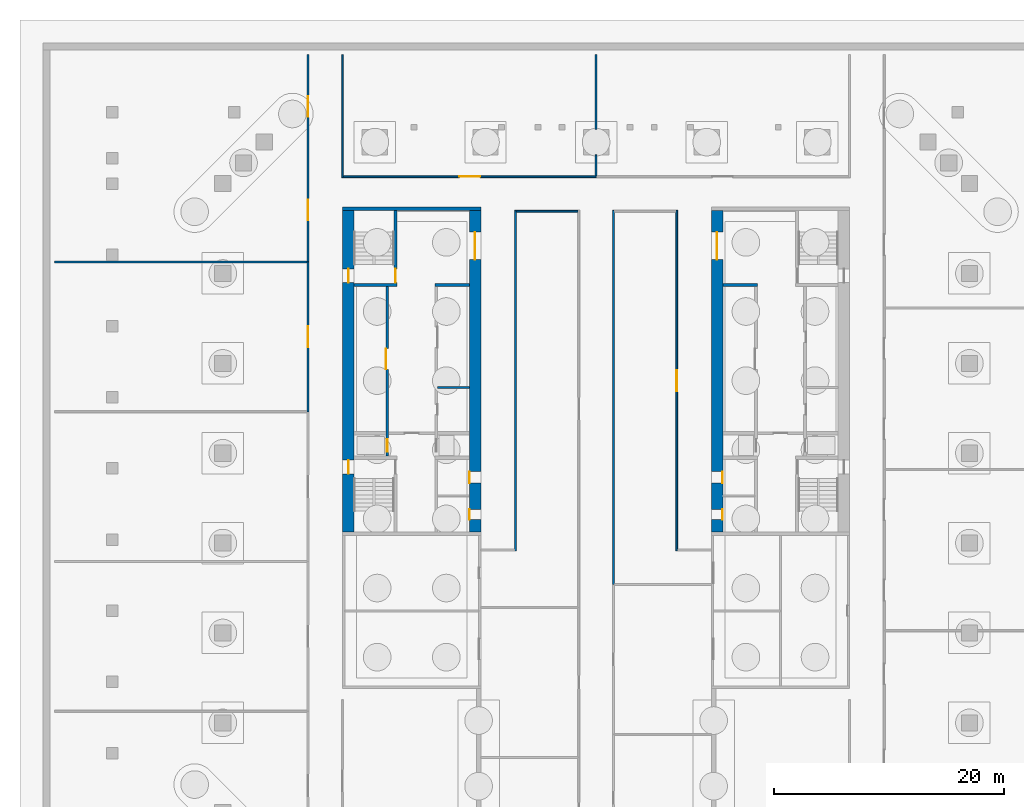
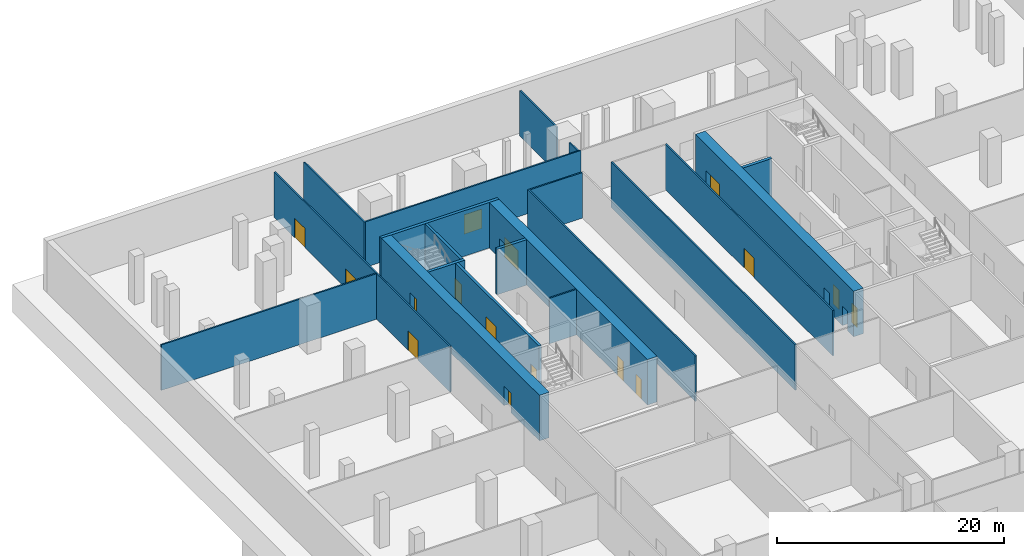
# One storey, part 9 of 14: 21 walls, 16 doors, 16 openings.
"""IFC4 building model written with IfcOpenShell, lengths in metres."""

from ifc_helpers import new_model, si_unit, direction, frame, frame_2d, origin, place, context, subcontext, project, spatial, rectangle, extrude, material, layer, layer_set, type_object, element, fill, save


model = new_model("IFC4")

# Units and contexts
model_context = context("Model", 3, precision=1e-05, world=origin(), true_north=direction((0.0, 1.0)))
body_context = subcontext(model_context, "Body", "Model", "MODEL_VIEW")
ifc_project = project(units=[si_unit("LENGTHUNIT", "METRE"), si_unit("AREAUNIT", "SQUARE_METRE"), si_unit("VOLUMEUNIT", "CUBIC_METRE"), si_unit("PLANEANGLEUNIT", "RADIAN"), si_unit("MASSUNIT", "GRAM", prefix="KILO")], contexts=[model_context])

# Site, building, storey
site_placement = place(None, origin())
site = spatial("IfcSite", under=ifc_project, at=site_placement, CompositionType="ELEMENT")
building_placement = place(site_placement, origin())
building = spatial("IfcBuilding", under=site, at=building_placement, Name="Ogive Exchange Tower", CompositionType="ELEMENT")
storey_placement = place(building_placement, frame((0.0, 0.0, -10.39990234375)))
storey = spatial("IfcBuildingStorey", under=building, at=storey_placement, Name="B2", CompositionType="ELEMENT", Elevation=-10.39990234375)

# Walls
ifc_material_1 = material(Name="Gypsum board partition")
ifc_layer_1 = layer(ifc_material_1, 0.14990234375)
ifc_layer_set_1 = layer_set([ifc_layer_1], Name="Core room partition 150 gypsum")
wall_type_1 = type_object("IfcWallType", Name="Core room partition 150 gypsum", PredefinedType="PARTITIONING", material=ifc_layer_set_1)
wall_1_placement = place(storey_placement, frame((-13.75, 10.10009765625, 0.0), z_axis=(0.0, 0.0, 1.0), x_axis=(1.0, 0.0, 0.0)))
element("IfcWall", 1, at=wall_1_placement, inside=storey, type_object=wall_type_1, Name="W row B bay partition 1-1", PredefinedType="PARTITIONING", context=body_context, shape_type="SweptSolid", body=[
    extrude(rectangle(XDim=2.75, YDim=0.14990234375, at=frame_2d((1.375, 0.0))), origin(), (0.0, 0.0, 1.0), 4.89990234375),
])
ifc_layer_2 = layer(ifc_material_1, 0.300048828125)
ifc_layer_set_2 = layer_set([ifc_layer_2], Name="Core room partition 300 gypsum")
wall_type_2 = type_object("IfcWallType", Name="Core room partition 300 gypsum", PredefinedType="PARTITIONING", material=ifc_layer_set_2)
for number, where, z_axis, x_axis, name in (
    (2, (-14.0, 19.0, 0.0), (0.0, 0.0, 1.0), (1.0, 0.0, 0.0), "W row B room end wall 7"),
    (3, (11.0, 19.0, 0.0), (0.0, 0.0, 1.0), (1.0, 0.0, 0.0), "E row B room end wall 7"),
):
    element("IfcWall", number, at=place(storey_placement, frame(where, z_axis=z_axis, x_axis=x_axis)), inside=storey, type_object=wall_type_2, Name=name, PredefinedType="PARTITIONING", context=body_context, shape_type="SweptSolid", body=[
        extrude(rectangle(XDim=3.0, YDim=0.300048828125, at=frame_2d((1.5, 0.0))), origin(), (0.0, 0.0, 1.0), 4.89990234375),
    ])
ifc_material_2 = material(Name="Fire partition EI 60 150")
ifc_layer_3 = layer(ifc_material_2, 0.14990234375)
ifc_layer_set_3 = layer_set([ifc_layer_3], Name="Fire partition EI 60 150")
wall_type_3 = type_object("IfcWallType", Name="Fire partition EI 60 150", PredefinedType="PARTITIONING", material=ifc_layer_set_3)
wall_2_placement = place(storey_placement, frame((-47.0, 21.0, 0.0), z_axis=(0.0, 0.0, 1.0), x_axis=(1.0, 0.0, 0.0)))
element("IfcWall", 4, at=wall_2_placement, inside=storey, type_object=wall_type_3, Name="B2-PWL-033", PredefinedType="PARTITIONING", context=body_context, shape_type="SweptSolid", body=[
    extrude(rectangle(XDim=21.925048828125, YDim=0.14990234375, at=frame_2d((10.96240234375, 0.0))), origin(), (0.0, 0.0, 1.0), 4.89990234375),
])
wall_3_placement = place(storey_placement, frame((-6.925048828125, 25.39990234375, 0.0), z_axis=(0.0, 0.0, 1.0), x_axis=(1.0, 0.0, 0.0)))
element("IfcWall", 5, at=wall_3_placement, inside=storey, type_object=wall_type_3, Name="B2-PWL-034", PredefinedType="PARTITIONING", context=body_context, shape_type="SweptSolid", body=[
    extrude(rectangle(XDim=5.35009765625, YDim=0.14990234375, at=frame_2d((2.675048828125, 0.0))), origin(), (0.0, 0.0, 1.0), 4.89990234375),
])

# Wall, opening, door
wall_4_placement = place(storey_placement, frame((-21.925048828125, 28.39990234375, 0.0), z_axis=(0.0, 0.0, 1.0), x_axis=(1.0, 0.0, 0.0)))
wall_4 = element("IfcWall", 6, at=wall_4_placement, inside=storey, type_object=wall_type_3, Name="B2-PWL-036", PredefinedType="PARTITIONING", context=body_context, shape_type="SweptSolid", body=[
    extrude(rectangle(XDim=21.925048828125, YDim=0.14990234375, at=frame_2d((10.96240234375, 0.0))), origin(), (0.0, 0.0, 1.0), 4.89990234375),
])
opening_1_placement = place(wall_4_placement, frame((10.0625, 0.0, 0.0)))
opening_1 = element("IfcOpeningElement", 7, at=opening_1_placement, cuts=wall_4, Name="Opening B2-I32", PredefinedType="OPENING", context=body_context, shape_type="SweptSolid", body=[
    extrude(rectangle(XDim=1.800048828125, YDim=2.10009765625, at=frame_2d((0.89990234375, 1.050048828125))), frame((0.0, 0.0849609375, 0.0), z_axis=(0.0, -1.0, 0.0), x_axis=(1.0, 0.0, 0.0)), (0.0, 0.0, 1.0), 0.169921875),
])
ifc_material_3 = material(Name="Fire door FD 30S 1800 x 2100")
door_type_1 = type_object("IfcDoorType", Name="Fire door FD 30S 1800 x 2100", OperationType="DOUBLE_DOOR_SINGLE_SWING", PredefinedType="DOOR", material=ifc_material_3)
door_1_placement = place(opening_1_placement, frame((1.800048828125, 0.0, 0.0), z_axis=(0.0, 0.0, 1.0), x_axis=(-1.0, 0.0, 0.0)))
door_1 = element("IfcDoor", 8, at=door_1_placement, inside=storey, type_object=door_type_1, Name="B2-IDR-032", ObjectType="DT4", OperationType="SINGLE_SWING_LEFT", OverallHeight=2.10009765625, OverallWidth=1.800048828125, PredefinedType="DOOR", context=body_context, shape_type="SweptSolid", body=[
    extrude(rectangle(XDim=1.800048828125, YDim=2.10009765625, at=frame_2d((0.89990234375, 1.050048828125))), frame((0.0, 0.02490234375, 0.0), z_axis=(0.0, -1.0, 0.0), x_axis=(1.0, 0.0, 0.0)), (0.0, 0.0, 1.0), 0.050048828125),
])
fill(opening_1, door_1)

wall_5_placement = place(storey_placement, frame((-25.0, 8.0, 0.0), z_axis=(0.0, 0.0, 1.0), x_axis=(0.0, 1.0, 0.0)))
wall_5 = element("IfcWall", 9, at=wall_5_placement, inside=storey, type_object=wall_type_3, Name="B2-PWL-045", PredefinedType="PARTITIONING", context=body_context, shape_type="SweptSolid", body=[
    extrude(rectangle(XDim=13.0, YDim=0.14990234375, at=frame_2d((6.5, 0.0))), origin(), (0.0, 0.0, 1.0), 4.89990234375),
])
opening_2_placement = place(wall_5_placement, frame((5.60009765625, 0.0, 0.0)))
opening_2 = element("IfcOpeningElement", 10, at=opening_2_placement, cuts=wall_5, Name="Opening B2-I06", PredefinedType="OPENING", context=body_context, shape_type="SweptSolid", body=[
    extrude(rectangle(XDim=1.800048828125, YDim=2.10009765625, at=frame_2d((0.89990234375, 1.050048828125))), frame((0.0, 0.0849609375, 0.0), z_axis=(0.0, -1.0, 0.0), x_axis=(1.0, 0.0, 0.0)), (0.0, 0.0, 1.0), 0.169921875),
])
door_2_placement = place(opening_2_placement, frame((1.800048828125, 0.0, 0.0), z_axis=(0.0, 0.0, 1.0), x_axis=(-1.0, 0.0, 0.0)))
door_2 = element("IfcDoor", 11, at=door_2_placement, inside=storey, type_object=door_type_1, Name="B2-IDR-006", ObjectType="DT4", OperationType="SINGLE_SWING_LEFT", OverallHeight=2.10009765625, OverallWidth=1.800048828125, PredefinedType="DOOR", context=body_context, shape_type="SweptSolid", body=[
    extrude(rectangle(XDim=1.800048828125, YDim=2.10009765625, at=frame_2d((0.89990234375, 1.050048828125))), frame((0.0, 0.02490234375, 0.0), z_axis=(0.0, -1.0, 0.0), x_axis=(1.0, 0.0, 0.0)), (0.0, 0.0, 1.0), 0.050048828125),
])
fill(opening_2, door_2)

# Wall, openings, doors
wall_6_placement = place(storey_placement, frame((-25.0, 21.0, 0.0), z_axis=(0.0, 0.0, 1.0), x_axis=(0.0, 1.0, 0.0)))
wall_6 = element("IfcWall", 12, at=wall_6_placement, inside=storey, type_object=wall_type_3, Name="B2-PWL-046", PredefinedType="PARTITIONING", context=body_context, shape_type="SweptSolid", body=[
    extrude(rectangle(XDim=18.0, YDim=0.14990234375, at=frame_2d((9.0, 0.0))), origin(), (0.0, 0.0, 1.0), 4.89990234375),
])
opening_3_placement = place(wall_6_placement, frame((3.60009765625, 0.0, 0.0)))
opening_3 = element("IfcOpeningElement", 13, at=opening_3_placement, cuts=wall_6, Name="Opening B2-I07", PredefinedType="OPENING", context=body_context, shape_type="SweptSolid", body=[
    extrude(rectangle(XDim=1.800048828125, YDim=2.10009765625, at=frame_2d((0.89990234375, 1.050048828125))), frame((0.0, 0.0849609375, 0.0), z_axis=(0.0, -1.0, 0.0), x_axis=(1.0, 0.0, 0.0)), (0.0, 0.0, 1.0), 0.169921875),
])
opening_4_placement = place(wall_6_placement, frame((12.60009765625, 0.0, 0.0)))
opening_4 = element("IfcOpeningElement", 14, at=opening_4_placement, cuts=wall_6, Name="Opening B2-I08", PredefinedType="OPENING", context=body_context, shape_type="SweptSolid", body=[
    extrude(rectangle(XDim=1.800048828125, YDim=2.10009765625, at=frame_2d((0.89990234375, 1.050048828125))), frame((0.0, 0.0849609375, 0.0), z_axis=(0.0, -1.0, 0.0), x_axis=(1.0, 0.0, 0.0)), (0.0, 0.0, 1.0), 0.169921875),
])
door_3_placement = place(opening_3_placement, frame((1.800048828125, 0.0, 0.0), z_axis=(0.0, 0.0, 1.0), x_axis=(-1.0, 0.0, 0.0)))
door_3 = element("IfcDoor", 15, at=door_3_placement, inside=storey, type_object=door_type_1, Name="B2-IDR-007", ObjectType="DT4", OperationType="SINGLE_SWING_LEFT", OverallHeight=2.10009765625, OverallWidth=1.800048828125, PredefinedType="DOOR", context=body_context, shape_type="SweptSolid", body=[
    extrude(rectangle(XDim=1.800048828125, YDim=2.10009765625, at=frame_2d((0.89990234375, 1.050048828125))), frame((0.0, 0.02490234375, 0.0), z_axis=(0.0, -1.0, 0.0), x_axis=(1.0, 0.0, 0.0)), (0.0, 0.0, 1.0), 0.050048828125),
])
fill(opening_3, door_3)
door_4_placement = place(opening_4_placement, frame((1.800048828125, 0.0, 0.0), z_axis=(0.0, 0.0, 1.0), x_axis=(-1.0, 0.0, 0.0)))
door_4 = element("IfcDoor", 16, at=door_4_placement, inside=storey, type_object=door_type_1, Name="B2-IDR-008", ObjectType="DT4", OperationType="SINGLE_SWING_RIGHT", OverallHeight=2.10009765625, OverallWidth=1.800048828125, PredefinedType="DOOR", context=body_context, shape_type="SweptSolid", body=[
    extrude(rectangle(XDim=1.800048828125, YDim=2.10009765625, at=frame_2d((0.89990234375, 1.050048828125))), frame((0.0, 0.02490234375, 0.0), z_axis=(0.0, -1.0, 0.0), x_axis=(1.0, 0.0, 0.0)), (0.0, 0.0, 1.0), 0.050048828125),
])
fill(opening_4, door_4)

# Walls
wall_7_placement = place(storey_placement, frame((-22.0, 28.324951171875, 0.0), z_axis=(0.0, 0.0, 1.0), x_axis=(0.0, 1.0, 0.0)))
element("IfcWall", 17, at=wall_7_placement, inside=storey, type_object=wall_type_3, Name="B2-PWL-049", PredefinedType="PARTITIONING", context=body_context, shape_type="SweptSolid", body=[
    extrude(rectangle(XDim=10.675048828125, YDim=0.14990234375, at=frame_2d((5.33740234375, 0.0))), origin(), (0.0, 0.0, 1.0), 4.89990234375),
])
wall_8_placement = place(storey_placement, frame((-7.0, -4.074951171875, 0.0), z_axis=(0.0, 0.0, 1.0), x_axis=(0.0, 1.0, 0.0)))
element("IfcWall", 18, at=wall_8_placement, inside=storey, type_object=wall_type_3, Name="B2-PWL-051", PredefinedType="PARTITIONING", context=body_context, shape_type="SweptSolid", body=[
    extrude(rectangle(XDim=29.550048828125, YDim=0.14990234375, at=frame_2d((14.77490234375, 0.0))), origin(), (0.0, 0.0, 1.0), 4.89990234375),
])
wall_9_placement = place(storey_placement, frame((0.0, 28.47509765625, 0.0), z_axis=(0.0, 0.0, 1.0), x_axis=(0.0, 1.0, 0.0)))
element("IfcWall", 19, at=wall_9_placement, inside=storey, type_object=wall_type_3, Name="B2-PWL-057", PredefinedType="PARTITIONING", context=body_context, shape_type="SweptSolid", body=[
    extrude(rectangle(XDim=1.824951171875, YDim=0.14990234375, at=frame_2d((0.91259765625, 0.0))), origin(), (0.0, 0.0, 1.0), 4.58984375),
])
wall_10_placement = place(storey_placement, frame((0.0, 32.5, 0.0), z_axis=(0.0, 0.0, 1.0), x_axis=(0.0, 1.0, 0.0)))
element("IfcWall", 20, at=wall_10_placement, inside=storey, type_object=wall_type_3, Name="B2-PWL-058", PredefinedType="PARTITIONING", context=body_context, shape_type="SweptSolid", body=[
    extrude(rectangle(XDim=6.5, YDim=0.14990234375, at=frame_2d((3.25, 0.0))), origin(), (0.0, 0.0, 1.0), 4.89990234375),
])
wall_11_placement = place(storey_placement, frame((1.5, -7.0, 0.0), z_axis=(0.0, 0.0, 1.0), x_axis=(0.0, 1.0, 0.0)))
element("IfcWall", 21, at=wall_11_placement, inside=storey, type_object=wall_type_3, Name="B2-PWL-061", PredefinedType="PARTITIONING", context=body_context, shape_type="SweptSolid", body=[
    extrude(rectangle(XDim=32.47509765625, YDim=0.14990234375, at=frame_2d((16.237548828125, 0.0))), origin(), (0.0, 0.0, 1.0), 4.89990234375),
])

# Wall, opening, door
wall_12_placement = place(storey_placement, frame((7.0, -4.074951171875, 0.0), z_axis=(0.0, 0.0, 1.0), x_axis=(0.0, 1.0, 0.0)))
wall_12 = element("IfcWall", 22, at=wall_12_placement, inside=storey, type_object=wall_type_3, Name="B2-PWL-062", PredefinedType="PARTITIONING", context=body_context, shape_type="SweptSolid", body=[
    extrude(rectangle(XDim=29.550048828125, YDim=0.14990234375, at=frame_2d((14.77490234375, 0.0))), origin(), (0.0, 0.0, 1.0), 4.89990234375),
])
opening_5_placement = place(wall_12_placement, frame((13.875, 0.0, 0.0)))
opening_5 = element("IfcOpeningElement", 23, at=opening_5_placement, cuts=wall_12, Name="Opening B2-I25", PredefinedType="OPENING", context=body_context, shape_type="SweptSolid", body=[
    extrude(rectangle(XDim=1.800048828125, YDim=2.10009765625, at=frame_2d((0.89990234375, 1.050048828125))), frame((0.0, 0.0849609375, 0.0), z_axis=(0.0, -1.0, 0.0), x_axis=(1.0, 0.0, 0.0)), (0.0, 0.0, 1.0), 0.169921875),
])
door_5_placement = place(opening_5_placement, origin())
door_5 = element("IfcDoor", 24, at=door_5_placement, inside=storey, type_object=door_type_1, Name="B2-IDR-025", ObjectType="DT4", OperationType="SINGLE_SWING_RIGHT", OverallHeight=2.10009765625, OverallWidth=1.800048828125, PredefinedType="DOOR", context=body_context, shape_type="SweptSolid", body=[
    extrude(rectangle(XDim=1.800048828125, YDim=2.10009765625, at=frame_2d((0.89990234375, 1.050048828125))), frame((0.0, 0.02490234375, 0.0), z_axis=(0.0, -1.0, 0.0), x_axis=(1.0, 0.0, 0.0)), (0.0, 0.0, 1.0), 0.050048828125),
])
fill(opening_5, door_5)

# Wall, openings, doors
ifc_material_4 = material(Name="Concrete C70/85", Category="concrete")
ifc_layer_4 = layer(ifc_material_4, 1.0)
ifc_layer_set_4 = layer_set([ifc_layer_4], Name="RC core wall 1000 C70/85")
wall_type_4 = type_object("IfcWallType", Name="RC core wall 1000 C70/85", PredefinedType="SHEAR", material=ifc_layer_set_4)
wall_13_placement = place(storey_placement, frame((-21.5, -2.449951171875, 0.0), z_axis=(0.0, 0.0, 1.0), x_axis=(0.0, 1.0, 0.0)))
wall_13 = element("IfcWall", 25, at=wall_13_placement, inside=storey, type_object=wall_type_4, Name="W outer wall", PredefinedType="SHEAR", context=body_context, shape_type="SweptSolid", body=[
    extrude(rectangle(XDim=27.89990234375, YDim=1.0, at=frame_2d((13.949951171875, 0.0))), origin(), (0.0, 0.0, 1.0), 4.89990234375),
])
opening_6_placement = place(wall_13_placement, frame((5.050048828125, 0.0, 0.0)))
opening_6 = element("IfcOpeningElement", 26, at=opening_6_placement, cuts=wall_13, Name="Opening B2-C09", PredefinedType="OPENING", context=body_context, shape_type="SweptSolid", body=[
    extrude(rectangle(XDim=1.199951171875, YDim=2.10009765625, at=frame_2d((0.60009765625, 1.050048828125))), frame((0.0, 0.510009765625, 0.0), z_axis=(0.0, -1.0, 0.0), x_axis=(1.0, 0.0, 0.0)), (0.0, 0.0, 1.0), 1.02001953125),
])
opening_7_placement = place(wall_13_placement, frame((21.64990234375, 0.0, 0.0)))
opening_7 = element("IfcOpeningElement", 27, at=opening_7_placement, cuts=wall_13, Name="Opening B2-C11", PredefinedType="OPENING", context=body_context, shape_type="SweptSolid", body=[
    extrude(rectangle(XDim=1.199951171875, YDim=2.10009765625, at=frame_2d((0.60009765625, 1.050048828125))), frame((0.0, 0.510009765625, 0.0), z_axis=(0.0, -1.0, 0.0), x_axis=(1.0, 0.0, 0.0)), (0.0, 0.0, 1.0), 1.02001953125),
])
ifc_material_5 = material(Name="Steel fire door", Category="steel")
door_type_2 = type_object("IfcDoorType", Name="Stair door FD90 1200 x 2100", OperationType="NOTDEFINED", PredefinedType="DOOR", material=ifc_material_5)
door_6_placement = place(opening_6_placement, frame((1.199951171875, 0.0, 0.0), z_axis=(0.0, 0.0, 1.0), x_axis=(-1.0, 0.0, 0.0)))
door_6 = element("IfcDoor", 28, at=door_6_placement, inside=storey, type_object=door_type_2, Name="Stair door", ObjectType="CD5", OperationType="SINGLE_SWING_RIGHT", OverallHeight=2.10009765625, OverallWidth=1.199951171875, PredefinedType="DOOR", context=body_context, shape_type="SweptSolid", body=[
    extrude(rectangle(XDim=1.199951171875, YDim=2.10009765625, at=frame_2d((0.60009765625, 1.050048828125))), frame((0.0, 0.02490234375, 0.0), z_axis=(0.0, -1.0, 0.0), x_axis=(1.0, 0.0, 0.0)), (0.0, 0.0, 1.0), 0.050048828125),
])
fill(opening_6, door_6)
door_7_placement = place(opening_7_placement, frame((1.199951171875, 0.0, 0.0), z_axis=(0.0, 0.0, 1.0), x_axis=(-1.0, 0.0, 0.0)))
door_7 = element("IfcDoor", 29, at=door_7_placement, inside=storey, type_object=door_type_2, Name="Stair door", ObjectType="CD5", OperationType="SINGLE_SWING_LEFT", OverallHeight=2.10009765625, OverallWidth=1.199951171875, PredefinedType="DOOR", context=body_context, shape_type="SweptSolid", body=[
    extrude(rectangle(XDim=1.199951171875, YDim=2.10009765625, at=frame_2d((0.60009765625, 1.050048828125))), frame((0.0, 0.02490234375, 0.0), z_axis=(0.0, -1.0, 0.0), x_axis=(1.0, 0.0, 0.0)), (0.0, 0.0, 1.0), 0.050048828125),
])
fill(opening_7, door_7)

wall_14_placement = place(storey_placement, frame((-10.5, -2.449951171875, 0.0), z_axis=(0.0, 0.0, 1.0), x_axis=(0.0, 1.0, 0.0)))
wall_14 = element("IfcWall", 30, at=wall_14_placement, inside=storey, type_object=wall_type_4, Name="W inner wall", PredefinedType="SHEAR", context=body_context, shape_type="SweptSolid", body=[
    extrude(rectangle(XDim=27.89990234375, YDim=1.0, at=frame_2d((13.949951171875, 0.0))), origin(), (0.0, 0.0, 1.0), 4.89990234375),
])
opening_8_placement = place(wall_14_placement, frame((23.64990234375, 0.0, 0.0)))
opening_8 = element("IfcOpeningElement", 31, at=opening_8_placement, cuts=wall_14, Name="Opening B2-C07", PredefinedType="OPENING", context=body_context, shape_type="SweptSolid", body=[
    extrude(rectangle(XDim=2.39990234375, YDim=2.10009765625, at=frame_2d((1.199951171875, 1.050048828125))), frame((0.0, 0.510009765625, 0.0), z_axis=(0.0, -1.0, 0.0), x_axis=(1.0, 0.0, 0.0)), (0.0, 0.0, 1.0), 1.02001953125),
])
opening_9_placement = place(wall_14_placement, frame((1.08740234375, 0.0, 0.0)))
opening_9 = element("IfcOpeningElement", 32, at=opening_9_placement, cuts=wall_14, Name="Opening B2-C12", PredefinedType="OPENING", context=body_context, shape_type="SweptSolid", body=[
    extrude(rectangle(XDim=0.89990234375, YDim=2.10009765625, at=frame_2d((0.449951171875, 1.050048828125))), frame((0.0, 0.510009765625, 0.0), z_axis=(0.0, -1.0, 0.0), x_axis=(1.0, 0.0, 0.0)), (0.0, 0.0, 1.0), 1.02001953125),
])
opening_10_placement = place(wall_14_placement, frame((4.262451171875, 0.0, 0.0)))
opening_10 = element("IfcOpeningElement", 33, at=opening_10_placement, cuts=wall_14, Name="Opening B2-C13", PredefinedType="OPENING", context=body_context, shape_type="SweptSolid", body=[
    extrude(rectangle(XDim=1.0, YDim=2.10009765625, at=frame_2d((0.5, 1.050048828125))), frame((0.0, 0.510009765625, 0.0), z_axis=(0.0, -1.0, 0.0), x_axis=(1.0, 0.0, 0.0)), (0.0, 0.0, 1.0), 1.02001953125),
])
ifc_material_6 = material(Name="Timber fire door", Category="wood")
door_type_3 = type_object("IfcDoorType", Name="Accessible WC door FD30S 1000 x 2100", OperationType="NOTDEFINED", PredefinedType="DOOR", material=ifc_material_6)
door_8_placement = place(opening_10_placement, origin())
door_8 = element("IfcDoor", 34, at=door_8_placement, inside=storey, type_object=door_type_3, Name="Accessible WC door", ObjectType="CD7", OperationType="SINGLE_SWING_RIGHT", OverallHeight=2.10009765625, OverallWidth=1.0, PredefinedType="DOOR", context=body_context, shape_type="SweptSolid", body=[
    extrude(rectangle(XDim=1.0, YDim=2.10009765625, at=frame_2d((0.5, 1.050048828125))), frame((0.0, 0.5, 0.0), z_axis=(0.0, -1.0, 0.0), x_axis=(1.0, 0.0, 0.0)), (0.0, 0.0, 1.0), 0.050048828125),
])
fill(opening_10, door_8)
door_type_4 = type_object("IfcDoorType", Name="Core room door FD30S 900 x 2100", OperationType="NOTDEFINED", PredefinedType="DOOR", material=ifc_material_6)
door_9_placement = place(opening_9_placement, origin())
door_9 = element("IfcDoor", 35, at=door_9_placement, inside=storey, type_object=door_type_4, Name="Core room door", ObjectType="CD6", OperationType="SINGLE_SWING_RIGHT", OverallHeight=2.10009765625, OverallWidth=0.89990234375, PredefinedType="DOOR", context=body_context, shape_type="SweptSolid", body=[
    extrude(rectangle(XDim=0.89990234375, YDim=2.10009765625, at=frame_2d((0.449951171875, 1.050048828125))), frame((0.0, 0.5, 0.0), z_axis=(0.0, -1.0, 0.0), x_axis=(1.0, 0.0, 0.0)), (0.0, 0.0, 1.0), 0.050048828125),
])
fill(opening_9, door_9)
ifc_material_7 = material(Name="Glazed steel fire door", Category="steel")
door_type_5 = type_object("IfcDoorType", Name="Lift lobby double door FD60 2400 x 2100", OperationType="DOUBLE_DOOR_SINGLE_SWING", PredefinedType="DOOR", material=ifc_material_7)
door_10_placement = place(opening_8_placement, frame((2.39990234375, 0.0, 0.0), z_axis=(0.0, 0.0, 1.0), x_axis=(-1.0, 0.0, 0.0)))
door_10 = element("IfcDoor", 36, at=door_10_placement, inside=storey, type_object=door_type_5, Name="Lift lobby double door", ObjectType="CD4", OperationType="DOUBLE_DOOR_SINGLE_SWING", OverallHeight=2.10009765625, OverallWidth=2.39990234375, PredefinedType="DOOR", context=body_context, shape_type="SweptSolid", body=[
    extrude(rectangle(XDim=2.39990234375, YDim=2.10009765625, at=frame_2d((1.199951171875, 1.050048828125))), frame((0.0, 0.02490234375, 0.0), z_axis=(0.0, -1.0, 0.0), x_axis=(1.0, 0.0, 0.0)), (0.0, 0.0, 1.0), 0.050048828125),
])
fill(opening_8, door_10)

wall_15_placement = place(storey_placement, frame((10.5, -2.449951171875, 0.0), z_axis=(0.0, 0.0, 1.0), x_axis=(0.0, 1.0, 0.0)))
wall_15 = element("IfcWall", 37, at=wall_15_placement, inside=storey, type_object=wall_type_4, Name="E inner wall", PredefinedType="SHEAR", context=body_context, shape_type="SweptSolid", body=[
    extrude(rectangle(XDim=27.89990234375, YDim=1.0, at=frame_2d((13.949951171875, 0.0))), origin(), (0.0, 0.0, 1.0), 4.89990234375),
])
opening_11_placement = place(wall_15_placement, frame((23.64990234375, 0.0, 0.0)))
opening_11 = element("IfcOpeningElement", 38, at=opening_11_placement, cuts=wall_15, Name="Opening B2-C22", PredefinedType="OPENING", context=body_context, shape_type="SweptSolid", body=[
    extrude(rectangle(XDim=2.39990234375, YDim=2.10009765625, at=frame_2d((1.199951171875, 1.050048828125))), frame((0.0, 0.510009765625, 0.0), z_axis=(0.0, -1.0, 0.0), x_axis=(1.0, 0.0, 0.0)), (0.0, 0.0, 1.0), 1.02001953125),
])
opening_12_placement = place(wall_15_placement, frame((1.08740234375, 0.0, 0.0)))
opening_12 = element("IfcOpeningElement", 39, at=opening_12_placement, cuts=wall_15, Name="Opening B2-C27", PredefinedType="OPENING", context=body_context, shape_type="SweptSolid", body=[
    extrude(rectangle(XDim=0.89990234375, YDim=2.10009765625, at=frame_2d((0.449951171875, 1.050048828125))), frame((0.0, 0.510009765625, 0.0), z_axis=(0.0, -1.0, 0.0), x_axis=(1.0, 0.0, 0.0)), (0.0, 0.0, 1.0), 1.02001953125),
])
opening_13_placement = place(wall_15_placement, frame((4.262451171875, 0.0, 0.0)))
opening_13 = element("IfcOpeningElement", 40, at=opening_13_placement, cuts=wall_15, Name="Opening B2-C28", PredefinedType="OPENING", context=body_context, shape_type="SweptSolid", body=[
    extrude(rectangle(XDim=1.0, YDim=2.10009765625, at=frame_2d((0.5, 1.050048828125))), frame((0.0, 0.510009765625, 0.0), z_axis=(0.0, -1.0, 0.0), x_axis=(1.0, 0.0, 0.0)), (0.0, 0.0, 1.0), 1.02001953125),
])
door_11_placement = place(opening_13_placement, frame((1.0, -0.9501953125, 0.0), z_axis=(0.0, 0.0, 1.0), x_axis=(-1.0, 0.0, 0.0)))
door_11 = element("IfcDoor", 41, at=door_11_placement, inside=storey, type_object=door_type_3, Name="Accessible WC door", ObjectType="CD7", OperationType="SINGLE_SWING_RIGHT", OverallHeight=2.10009765625, OverallWidth=1.0, PredefinedType="DOOR", context=body_context, shape_type="SweptSolid", body=[
    extrude(rectangle(XDim=1.0, YDim=2.10009765625, at=frame_2d((0.5, 1.050048828125))), frame((0.0, -0.4501953125, 0.0), z_axis=(0.0, -1.0, 0.0), x_axis=(1.0, 0.0, 0.0)), (0.0, 0.0, 1.0), 0.050048828125),
])
fill(opening_13, door_11)
door_12_placement = place(opening_12_placement, frame((0.89990234375, -0.9501953125, 0.0), z_axis=(0.0, 0.0, 1.0), x_axis=(-1.0, 0.0, 0.0)))
door_12 = element("IfcDoor", 42, at=door_12_placement, inside=storey, type_object=door_type_4, Name="Core room door", ObjectType="CD6", OperationType="SINGLE_SWING_LEFT", OverallHeight=2.10009765625, OverallWidth=0.89990234375, PredefinedType="DOOR", context=body_context, shape_type="SweptSolid", body=[
    extrude(rectangle(XDim=0.89990234375, YDim=2.10009765625, at=frame_2d((0.449951171875, 1.050048828125))), frame((0.0, -0.4501953125, 0.0), z_axis=(0.0, -1.0, 0.0), x_axis=(1.0, 0.0, 0.0)), (0.0, 0.0, 1.0), 0.050048828125),
])
fill(opening_12, door_12)
door_13_placement = place(opening_11_placement, origin())
door_13 = element("IfcDoor", 43, at=door_13_placement, inside=storey, type_object=door_type_5, Name="Lift lobby double door", ObjectType="CD4", OperationType="DOUBLE_DOOR_SINGLE_SWING", OverallHeight=2.10009765625, OverallWidth=2.39990234375, PredefinedType="DOOR", context=body_context, shape_type="SweptSolid", body=[
    extrude(rectangle(XDim=2.39990234375, YDim=2.10009765625, at=frame_2d((1.199951171875, 1.050048828125))), frame((0.0, 0.02490234375, 0.0), z_axis=(0.0, -1.0, 0.0), x_axis=(1.0, 0.0, 0.0)), (0.0, 0.0, 1.0), 0.050048828125),
])
fill(opening_11, door_13)

# Wall, opening, door
ifc_layer_5 = layer(ifc_material_4, 0.25)
ifc_layer_set_5 = layer_set([ifc_layer_5], Name="RC core wall 250 C70/85")
wall_type_5 = type_object("IfcWallType", Name="RC core wall 250 C70/85", PredefinedType="SHEAR", material=ifc_layer_set_5)
wall_16_placement = place(storey_placement, frame((-17.425048828125, 19.14990234375, 0.0), z_axis=(0.0, 0.0, 1.0), x_axis=(0.0, 1.0, 0.0)))
wall_16 = element("IfcWall", 44, at=wall_16_placement, inside=storey, type_object=wall_type_5, Name="W stair N front wall", PredefinedType="SHEAR", context=body_context, shape_type="SweptSolid", body=[
    extrude(rectangle(XDim=6.300048828125, YDim=0.25, at=frame_2d((3.14990234375, 0.0))), origin(), (0.0, 0.0, 1.0), 4.89990234375),
])
opening_14_placement = place(wall_16_placement, frame((0.050048828125, 0.0, 0.0)))
opening_14 = element("IfcOpeningElement", 45, at=opening_14_placement, cuts=wall_16, Name="Opening B2-C10", PredefinedType="OPENING", context=body_context, shape_type="SweptSolid", body=[
    extrude(rectangle(XDim=1.199951171875, YDim=2.10009765625, at=frame_2d((0.60009765625, 1.050048828125))), frame((0.0, 0.135009765625, 0.0), z_axis=(0.0, -1.0, 0.0), x_axis=(1.0, 0.0, 0.0)), (0.0, 0.0, 1.0), 0.27001953125),
])
door_14_placement = place(opening_14_placement, origin())
door_14 = element("IfcDoor", 46, at=door_14_placement, inside=storey, type_object=door_type_2, Name="Stair door", ObjectType="CD5", OperationType="SINGLE_SWING_RIGHT", OverallHeight=2.10009765625, OverallWidth=1.199951171875, PredefinedType="DOOR", context=body_context, shape_type="SweptSolid", body=[
    extrude(rectangle(XDim=1.199951171875, YDim=2.10009765625, at=frame_2d((0.60009765625, 1.050048828125))), frame((0.0, 0.02490234375, 0.0), z_axis=(0.0, -1.0, 0.0), x_axis=(1.0, 0.0, 0.0)), (0.0, 0.0, 1.0), 0.050048828125),
])
fill(opening_14, door_14)

# Wall, openings, doors
wall_17_placement = place(storey_placement, frame((-18.125, 4.14990234375, 0.0), z_axis=(0.0, 0.0, 1.0), x_axis=(0.0, 1.0, 0.0)))
wall_17 = element("IfcWall", 47, at=wall_17_placement, inside=storey, type_object=wall_type_5, Name="W row A front wall", PredefinedType="SHEAR", context=body_context, shape_type="SweptSolid", body=[
    extrude(rectangle(XDim=14.7001953125, YDim=0.25, at=frame_2d((7.35009765625, 0.0))), origin(), (0.0, 0.0, 1.0), 4.89990234375),
])
opening_15_placement = place(wall_17_placement, frame((7.521484375, 0.0, 0.0)))
opening_15 = element("IfcOpeningElement", 48, at=opening_15_placement, cuts=wall_17, Name="Opening B2-C01", PredefinedType="OPENING", context=body_context, shape_type="SweptSolid", body=[
    extrude(rectangle(XDim=1.800048828125, YDim=2.39990234375, at=frame_2d((0.89990234375, 1.199951171875))), frame((0.0, 0.135009765625, 0.0), z_axis=(0.0, -1.0, 0.0), x_axis=(1.0, 0.0, 0.0)), (0.0, 0.0, 1.0), 0.27001953125),
])
opening_16_placement = place(wall_17_placement, frame((0.371337890625, 0.0, 0.0)))
opening_16 = element("IfcOpeningElement", 49, at=opening_16_placement, cuts=wall_17, Name="Opening B2-C02", PredefinedType="OPENING", context=body_context, shape_type="SweptSolid", body=[
    extrude(rectangle(XDim=1.10009765625, YDim=2.10009765625, at=frame_2d((0.550048828125, 1.050048828125))), frame((0.0, 0.135009765625, 0.0), z_axis=(0.0, -1.0, 0.0), x_axis=(1.0, 0.0, 0.0)), (0.0, 0.0, 1.0), 0.27001953125),
])
ifc_material_8 = material(Name="Stainless steel", Category="steel")
door_type_6 = type_object("IfcDoorType", Name="Lift landing door FD90 1100 x 2100", OperationType="SLIDING_TO_LEFT", PredefinedType="DOOR", material=ifc_material_8)
door_15_placement = place(opening_16_placement, origin())
door_15 = element("IfcDoor", 50, at=door_15_placement, inside=storey, type_object=door_type_6, Name="Lift landing door FF1", ObjectType="LD", OperationType="SLIDING_TO_LEFT", OverallHeight=2.10009765625, OverallWidth=1.10009765625, PredefinedType="DOOR", context=body_context, shape_type="SweptSolid", body=[
    extrude(rectangle(XDim=1.10009765625, YDim=2.10009765625, at=frame_2d((0.550048828125, 1.050048828125))), frame((0.0, 0.02490234375, 0.0), z_axis=(0.0, -1.0, 0.0), x_axis=(1.0, 0.0, 0.0)), (0.0, 0.0, 1.0), 0.050048828125),
])
fill(opening_16, door_15)
door_type_7 = type_object("IfcDoorType", Name="Plant room door FD60 1800 x 2400", OperationType="DOUBLE_DOOR_SINGLE_SWING", PredefinedType="DOOR", material=ifc_material_5)
door_16_placement = place(opening_15_placement, origin())
door_16 = element("IfcDoor", 51, at=door_16_placement, inside=storey, type_object=door_type_7, Name="Plant room door", ObjectType="CD1", OperationType="DOUBLE_DOOR_SINGLE_SWING", OverallHeight=2.39990234375, OverallWidth=1.800048828125, PredefinedType="DOOR", context=body_context, shape_type="SweptSolid", body=[
    extrude(rectangle(XDim=1.800048828125, YDim=2.39990234375, at=frame_2d((0.89990234375, 1.199951171875))), frame((0.0, 0.125, 0.0), z_axis=(0.0, -1.0, 0.0), x_axis=(1.0, 0.0, 0.0)), (0.0, 0.0, 1.0), 0.050048828125),
])
fill(opening_15, door_16)

# Walls
ifc_layer_6 = layer(ifc_material_4, 0.300048828125)
ifc_layer_set_6 = layer_set([ifc_layer_6], Name="RC core wall 300 C70/85")
wall_type_6 = type_object("IfcWallType", Name="RC core wall 300 C70/85", PredefinedType="SHEAR", material=ifc_layer_set_6)
wall_18_placement = place(storey_placement, frame((-22.0, 25.60009765625, 0.0), z_axis=(0.0, 0.0, 1.0), x_axis=(1.0, 0.0, 0.0)))
element("IfcWall", 52, at=wall_18_placement, inside=storey, type_object=wall_type_6, Name="W north end wall", PredefinedType="SHEAR", context=body_context, shape_type="SweptSolid", body=[
    extrude(rectangle(XDim=12.0, YDim=0.300048828125, at=frame_2d((6.0, 0.0))), origin(), (0.0, 0.0, 1.0), 4.89990234375),
])
wall_19_placement = place(storey_placement, frame((-21.0, 19.0, 0.0), z_axis=(0.0, 0.0, 1.0), x_axis=(1.0, 0.0, 0.0)))
element("IfcWall", 53, at=wall_19_placement, inside=storey, type_object=wall_type_6, Name="W stair N south wall", PredefinedType="SHEAR", context=body_context, shape_type="SweptSolid", body=[
    extrude(rectangle(XDim=3.699951171875, YDim=0.300048828125, at=frame_2d((1.85009765625, 0.0))), origin(), (0.0, 0.0, 1.0), 4.89990234375),
])

save(model, "model.ifc")
